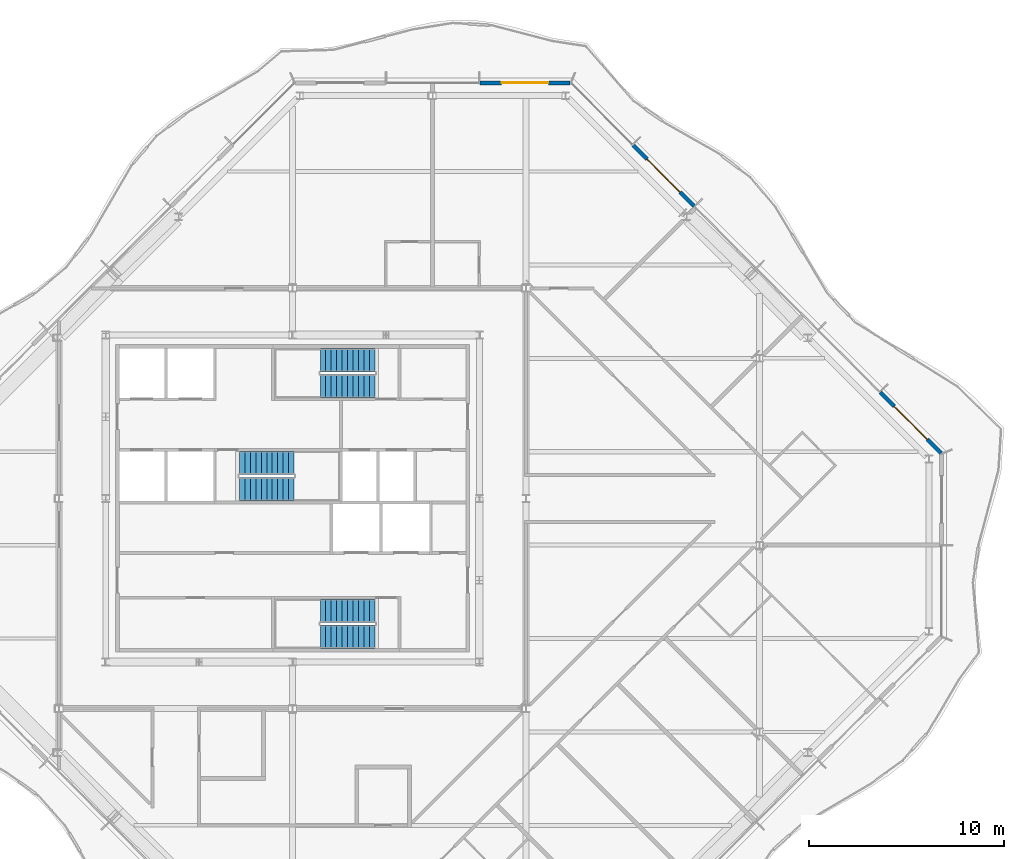
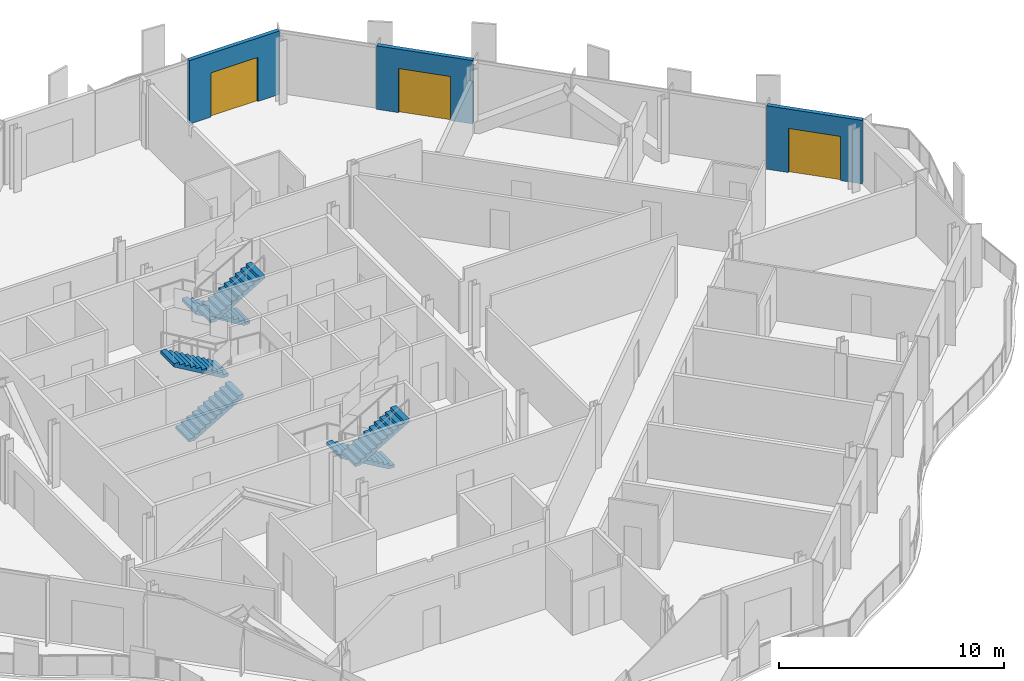
# One storey, part 12 of 17: 6 stair flights, 3 doors, 3 walls, 3 openings, 3 elements without a shape of their own.
"""IFC4 building model written with IfcOpenShell, lengths in metres."""

from ifc_helpers import new_model, si_unit, direction, frame, frame_2d, origin, place, context, subcontext, project, spatial, polyline, rectangle, outline, extrude, material, layer, layer_set, type_object, element, fill, aggregate, save


model = new_model("IFC4")

# Units and contexts
model_context = context("Model", 3, precision=1e-05, world=origin(), true_north=direction((0.0, 1.0)))
body_context = subcontext(model_context, "Body", "Model", "MODEL_VIEW")
ifc_project = project(units=[si_unit("LENGTHUNIT", "METRE"), si_unit("AREAUNIT", "SQUARE_METRE"), si_unit("VOLUMEUNIT", "CUBIC_METRE"), si_unit("PLANEANGLEUNIT", "RADIAN"), si_unit("MASSUNIT", "GRAM", prefix="KILO")], contexts=[model_context])

# Site, building, storey
site_placement = place(None, origin())
site = spatial("IfcSite", under=ifc_project, at=site_placement, CompositionType="ELEMENT")
building_placement = place(site_placement, origin())
building = spatial("IfcBuilding", under=site, at=building_placement, Name="Cairn Pilgrim Tower", CompositionType="ELEMENT")
storey_placement = place(building_placement, frame((0.0, 0.0, 281.39990234375)))
storey = spatial("IfcBuildingStorey", under=building, at=storey_placement, Name="L72", CompositionType="ELEMENT", Elevation=281.39990234375)

# Wall, opening, door
ifc_material_1 = material(Name="Bronze anodised aluminium insulated sandwich panel with mineral wool fill", Category="aluminium")
ifc_layer = layer(ifc_material_1, 0.199951171875)
ifc_layer_set = layer_set([ifc_layer], Name="BRONZE INFILL FRAME WALL 200")
wall_type = type_object("IfcWallType", Name="BRONZE INFILL FRAME WALL 200", PredefinedType="NOTDEFINED", material=ifc_layer_set)
wall_1_placement = place(storey_placement, frame((40.521728515625, 4.724609375, 0.0), z_axis=(0.0, 0.0, 1.0), x_axis=(-0.707106781187, 0.707106781187, 0.0)))
wall_1 = element("IfcWall", 1, at=wall_1_placement, inside=storey, type_object=wall_type, Name="Bronze infill frame wall IW-NE1", PredefinedType="NOTDEFINED", context=body_context, shape_type="SweptSolid", body=[
    extrude(rectangle(XDim=4.421142578125, YDim=0.199951171875, at=frame_2d((2.21044921875, 0.0))), origin(), (0.0, 0.0, 1.0), 3.4501953125),
])
opening_1_placement = place(wall_1_placement, frame((1.00537109375, 0.0, 0.0)))
opening_1 = element("IfcOpeningElement", 2, at=opening_1_placement, cuts=wall_1, Name="Opening 7207B", PredefinedType="OPENING", context=body_context, shape_type="SweptSolid", body=[
    extrude(rectangle(XDim=2.39990234375, YDim=2.39990234375, at=frame_2d((1.199951171875, 1.199951171875))), frame((0.0, 0.10986328125, 0.0), z_axis=(0.0, -1.0, 0.0), x_axis=(1.0, 0.0, 0.0)), (0.0, 0.0, 1.0), 0.219970703125),
])
ifc_material_2 = material(Name="Bronze anodised aluminium frame with tinted low-E glass", Category="aluminium")
door_type = type_object("IfcDoorType", Name="BALCONY SLIDING DOOR 2400x2400", OperationType="DOUBLE_DOOR_SLIDING", PredefinedType="DOOR", material=ifc_material_2)
door_1_placement = place(opening_1_placement, origin())
door_1 = element("IfcDoor", 3, at=door_1_placement, inside=storey, type_object=door_type, Name="Balcony sliding door 7207B", OperationType="SINGLE_SWING_LEFT", OverallHeight=2.39990234375, OverallWidth=2.39990234375, PredefinedType="DOOR", context=body_context, shape_type="SweptSolid", body=[
    extrude(rectangle(XDim=2.39990234375, YDim=2.39990234375, at=frame_2d((1.199951171875, 1.199951171875))), frame((0.0, 0.02490234375, 0.0), z_axis=(0.0, -1.0, 0.0), x_axis=(1.0, 0.0, 0.0)), (0.0, 0.0, 1.0), 0.050048828125),
])
fill(opening_1, door_1)

wall_2_placement = place(storey_placement, frame((27.826416015625, 17.419921875, 0.0), z_axis=(0.0, 0.0, 1.0), x_axis=(-0.707079231393, 0.707134329907, 0.0)))
wall_2 = element("IfcWall", 4, at=wall_2_placement, inside=storey, type_object=wall_type, Name="Bronze infill frame wall IW-NE5", PredefinedType="NOTDEFINED", context=body_context, shape_type="SweptSolid", body=[
    extrude(rectangle(XDim=4.430908203125, YDim=0.199951171875, at=frame_2d((2.21533203125, 0.0))), origin(), (0.0, 0.0, 1.0), 3.4501953125),
])
opening_2_placement = place(wall_2_placement, frame((1.01513671875, 0.0, 0.0)))
opening_2 = element("IfcOpeningElement", 5, at=opening_2_placement, cuts=wall_2, Name="Opening 7209B2", PredefinedType="OPENING", context=body_context, shape_type="SweptSolid", body=[
    extrude(rectangle(XDim=2.39990234375, YDim=2.39990234375, at=frame_2d((1.199951171875, 1.199951171875))), frame((0.0, 0.10986328125, 0.0), z_axis=(0.0, -1.0, 0.0), x_axis=(1.0, 0.0, 0.0)), (0.0, 0.0, 1.0), 0.219970703125),
])
door_2_placement = place(opening_2_placement, origin())
door_2 = element("IfcDoor", 6, at=door_2_placement, inside=storey, type_object=door_type, Name="Balcony sliding door 7209B2", OperationType="SINGLE_SWING_LEFT", OverallHeight=2.39990234375, OverallWidth=2.39990234375, PredefinedType="DOOR", context=body_context, shape_type="SweptSolid", body=[
    extrude(rectangle(XDim=2.39990234375, YDim=2.39990234375, at=frame_2d((1.199951171875, 1.199951171875))), frame((0.0, 0.02490234375, 0.0), z_axis=(0.0, -1.0, 0.0), x_axis=(1.0, 0.0, 0.0)), (0.0, 0.0, 1.0), 0.050048828125),
])
fill(opening_2, door_2)

wall_3_placement = place(storey_placement, frame((21.45654296875, 23.75, 0.0), z_axis=(0.0, 0.0, 1.0), x_axis=(-1.0, 0.0, 0.0)))
wall_3 = element("IfcWall", 7, at=wall_3_placement, inside=storey, type_object=wall_type, Name="Bronze infill frame wall IW-N1", PredefinedType="NOTDEFINED", context=body_context, shape_type="SweptSolid", body=[
    extrude(rectangle(XDim=4.62646484375, YDim=0.199951171875, at=frame_2d((2.313232421875, 0.0))), origin(), (0.0, 0.0, 1.0), 3.4501953125),
])
opening_3_placement = place(wall_3_placement, frame((1.1083984375, 0.0, 0.0)))
opening_3 = element("IfcOpeningElement", 8, at=opening_3_placement, cuts=wall_3, Name="Opening 7209B", PredefinedType="OPENING", context=body_context, shape_type="SweptSolid", body=[
    extrude(rectangle(XDim=2.39990234375, YDim=2.39990234375, at=frame_2d((1.199951171875, 1.199951171875))), frame((0.0, 0.10986328125, 0.0), z_axis=(0.0, -1.0, 0.0), x_axis=(1.0, 0.0, 0.0)), (0.0, 0.0, 1.0), 0.219970703125),
])
door_3_placement = place(opening_3_placement, origin())
door_3 = element("IfcDoor", 9, at=door_3_placement, inside=storey, type_object=door_type, Name="Balcony sliding door 7209B", OperationType="SINGLE_SWING_LEFT", OverallHeight=2.39990234375, OverallWidth=2.39990234375, PredefinedType="DOOR", context=body_context, shape_type="SweptSolid", body=[
    extrude(rectangle(XDim=2.39990234375, YDim=2.39990234375, at=frame_2d((1.199951171875, 1.199951171875))), frame((0.0, 0.02490234375, 0.0), z_axis=(0.0, -1.0, 0.0), x_axis=(1.0, 0.0, 0.0)), (0.0, 0.0, 1.0), 0.050048828125),
])
fill(opening_3, door_3)

# Stair, stair flights
ifc_material_3 = material(Name="Concrete C32/40", Category="concrete")
stair_type = type_object("IfcStairType", Name="EXIT STAIR 1200", PredefinedType="HALF_TURN_STAIR", material=ifc_material_3)
stair_1_placement = place(storey_placement, origin())
stair_1 = element("IfcStair", 10, at=stair_1_placement, inside=storey, type_object=stair_type, Name="L72 Exit Stair A", PredefinedType="HALF_TURN_STAIR")
stair_flight_type = type_object("IfcStairFlightType", Name="STAIR FLIGHT 1200", PredefinedType="STRAIGHT", material=ifc_material_3)
stair_flight_1_placement = place(storey_placement, frame((11.425048828125, -3.375, 0.0), z_axis=(0.0, 0.0, 1.0), x_axis=(-1.0, 0.0, 0.0)))
stair_flight_1 = element("IfcStairFlight", 11, at=stair_flight_1_placement, type_object=stair_flight_type, Name="ST-A flight 1", NumberOfRisers=11, NumberOfTreads=10, PredefinedType="STRAIGHT", RiserHeight=0.163636364, TreadLength=0.28, context=body_context, shape_type="SweptSolid", body=[
    extrude(outline(polyline([(0.0, 0.0), (0.0, 0.16357421875), (0.280029296875, 0.16357421875), (0.280029296875, 0.327392578125), (0.56005859375, 0.327392578125), (0.56005859375, 0.490966796875), (0.840087890625, 0.490966796875), (0.840087890625, 0.654541015625), (1.1201171875, 0.654541015625), (1.1201171875, 0.818115234375), (1.39990234375, 0.818115234375), (1.39990234375, 0.98193359375), (1.679931640625, 0.98193359375), (1.679931640625, 1.1455078125), (1.9599609375, 1.1455078125), (1.9599609375, 1.30908203125), (2.239990234375, 1.30908203125), (2.239990234375, 1.47265625), (2.52001953125, 1.47265625), (2.52001953125, 1.636474609375), (2.800048828125, 1.636474609375), (2.800048828125, 1.800048828125), (2.800048828125, 1.462646484375), (0.297119140625, 0.0), (0.0, 0.0)])), frame((0.0, 0.60009765625, 0.0), z_axis=(0.0, -1.0, 0.0), x_axis=(1.0, 0.0, 0.0)), (0.0, 0.0, 1.0), 1.199951171875),
])
stair_flight_2_placement = place(storey_placement, frame((8.625, -4.699951171875, 1.800048828125), z_axis=(0.0, 0.0, 1.0), x_axis=(1.0, 0.0, 0.0)))
stair_flight_2 = element("IfcStairFlight", 12, at=stair_flight_2_placement, type_object=stair_flight_type, Name="ST-A flight 2", NumberOfRisers=11, NumberOfTreads=10, PredefinedType="STRAIGHT", RiserHeight=0.163636364, TreadLength=0.28, context=body_context, shape_type="SweptSolid", body=[
    extrude(outline(polyline([(0.0, 0.0), (0.0, 0.16357421875), (0.280029296875, 0.16357421875), (0.280029296875, 0.327392578125), (0.56005859375, 0.327392578125), (0.56005859375, 0.490966796875), (0.840087890625, 0.490966796875), (0.840087890625, 0.654541015625), (1.1201171875, 0.654541015625), (1.1201171875, 0.818115234375), (1.39990234375, 0.818115234375), (1.39990234375, 0.98193359375), (1.679931640625, 0.98193359375), (1.679931640625, 1.1455078125), (1.9599609375, 1.1455078125), (1.9599609375, 1.30908203125), (2.239990234375, 1.30908203125), (2.239990234375, 1.47265625), (2.52001953125, 1.47265625), (2.52001953125, 1.636474609375), (2.800048828125, 1.636474609375), (2.800048828125, 1.800048828125), (2.800048828125, 1.462646484375), (0.297119140625, 0.0), (0.0, 0.0)])), frame((0.0, 0.60009765625, 0.0), z_axis=(0.0, -1.0, 0.0), x_axis=(1.0, 0.0, 0.0)), (0.0, 0.0, 1.0), 1.199951171875),
])
aggregate(stair_1, [stair_flight_1, stair_flight_2])

stair_2_placement = place(storey_placement, origin())
stair_2 = element("IfcStair", 13, at=stair_2_placement, inside=storey, type_object=stair_type, Name="L72 Exit Stair B", PredefinedType="HALF_TURN_STAIR")
stair_flight_3_placement = place(storey_placement, frame((4.47509765625, 2.875, 0.0), z_axis=(0.0, 0.0, 1.0), x_axis=(1.0, 0.0, 0.0)))
stair_flight_3 = element("IfcStairFlight", 14, at=stair_flight_3_placement, type_object=stair_flight_type, Name="ST-B flight 1", NumberOfRisers=11, NumberOfTreads=10, PredefinedType="STRAIGHT", RiserHeight=0.163636364, TreadLength=0.28, context=body_context, shape_type="SweptSolid", body=[
    extrude(outline(polyline([(0.0, 0.0), (0.0, 0.16357421875), (0.280029296875, 0.16357421875), (0.280029296875, 0.327392578125), (0.56005859375, 0.327392578125), (0.56005859375, 0.490966796875), (0.840087890625, 0.490966796875), (0.840087890625, 0.654541015625), (1.1201171875, 0.654541015625), (1.1201171875, 0.818115234375), (1.39990234375, 0.818115234375), (1.39990234375, 0.98193359375), (1.679931640625, 0.98193359375), (1.679931640625, 1.1455078125), (1.9599609375, 1.1455078125), (1.9599609375, 1.30908203125), (2.239990234375, 1.30908203125), (2.239990234375, 1.47265625), (2.52001953125, 1.47265625), (2.52001953125, 1.636474609375), (2.800048828125, 1.636474609375), (2.800048828125, 1.800048828125), (2.800048828125, 1.462646484375), (0.297119140625, 0.0), (0.0, 0.0)])), frame((0.0, 0.60009765625, 0.0), z_axis=(0.0, -1.0, 0.0), x_axis=(1.0, 0.0, 0.0)), (0.0, 0.0, 1.0), 1.199951171875),
])
stair_flight_4_placement = place(storey_placement, frame((7.27490234375, 4.22509765625, 1.800048828125), z_axis=(0.0, 0.0, 1.0), x_axis=(-1.0, 0.0, 0.0)))
stair_flight_4 = element("IfcStairFlight", 15, at=stair_flight_4_placement, type_object=stair_flight_type, Name="ST-B flight 2", NumberOfRisers=11, NumberOfTreads=10, PredefinedType="STRAIGHT", RiserHeight=0.163636364, TreadLength=0.28, context=body_context, shape_type="SweptSolid", body=[
    extrude(outline(polyline([(0.0, 0.0), (0.0, 0.16357421875), (0.280029296875, 0.16357421875), (0.280029296875, 0.327392578125), (0.56005859375, 0.327392578125), (0.56005859375, 0.490966796875), (0.840087890625, 0.490966796875), (0.840087890625, 0.654541015625), (1.1201171875, 0.654541015625), (1.1201171875, 0.818115234375), (1.39990234375, 0.818115234375), (1.39990234375, 0.98193359375), (1.679931640625, 0.98193359375), (1.679931640625, 1.1455078125), (1.9599609375, 1.1455078125), (1.9599609375, 1.30908203125), (2.239990234375, 1.30908203125), (2.239990234375, 1.47265625), (2.52001953125, 1.47265625), (2.52001953125, 1.636474609375), (2.800048828125, 1.636474609375), (2.800048828125, 1.800048828125), (2.800048828125, 1.462646484375), (0.297119140625, 0.0), (0.0, 0.0)])), frame((0.0, 0.60009765625, 0.0), z_axis=(0.0, -1.0, 0.0), x_axis=(1.0, 0.0, 0.0)), (0.0, 0.0, 1.0), 1.199951171875),
])
aggregate(stair_2, [stair_flight_3, stair_flight_4])

stair_3_placement = place(storey_placement, origin())
stair_3 = element("IfcStair", 16, at=stair_3_placement, inside=storey, type_object=stair_type, Name="L72 Exit Stair C", PredefinedType="HALF_TURN_STAIR")
stair_flight_5_placement = place(storey_placement, frame((11.425048828125, 9.5, 0.0), z_axis=(0.0, 0.0, 1.0), x_axis=(-1.0, 0.0, 0.0)))
stair_flight_5 = element("IfcStairFlight", 17, at=stair_flight_5_placement, type_object=stair_flight_type, Name="ST-C flight 1", NumberOfRisers=11, NumberOfTreads=10, PredefinedType="STRAIGHT", RiserHeight=0.163636364, TreadLength=0.28, context=body_context, shape_type="SweptSolid", body=[
    extrude(outline(polyline([(0.0, 0.0), (0.0, 0.16357421875), (0.280029296875, 0.16357421875), (0.280029296875, 0.327392578125), (0.56005859375, 0.327392578125), (0.56005859375, 0.490966796875), (0.840087890625, 0.490966796875), (0.840087890625, 0.654541015625), (1.1201171875, 0.654541015625), (1.1201171875, 0.818115234375), (1.39990234375, 0.818115234375), (1.39990234375, 0.98193359375), (1.679931640625, 0.98193359375), (1.679931640625, 1.1455078125), (1.9599609375, 1.1455078125), (1.9599609375, 1.30908203125), (2.239990234375, 1.30908203125), (2.239990234375, 1.47265625), (2.52001953125, 1.47265625), (2.52001953125, 1.636474609375), (2.800048828125, 1.636474609375), (2.800048828125, 1.800048828125), (2.800048828125, 1.462646484375), (0.297119140625, 0.0), (0.0, 0.0)])), frame((0.0, 0.60009765625, 0.0), z_axis=(0.0, -1.0, 0.0), x_axis=(1.0, 0.0, 0.0)), (0.0, 0.0, 1.0), 1.199951171875),
])
stair_flight_6_placement = place(storey_placement, frame((8.625, 8.175048828125, 1.800048828125), z_axis=(0.0, 0.0, 1.0), x_axis=(1.0, 0.0, 0.0)))
stair_flight_6 = element("IfcStairFlight", 18, at=stair_flight_6_placement, type_object=stair_flight_type, Name="ST-C flight 2", NumberOfRisers=11, NumberOfTreads=10, PredefinedType="STRAIGHT", RiserHeight=0.163636364, TreadLength=0.28, context=body_context, shape_type="SweptSolid", body=[
    extrude(outline(polyline([(0.0, 0.0), (0.0, 0.16357421875), (0.280029296875, 0.16357421875), (0.280029296875, 0.327392578125), (0.56005859375, 0.327392578125), (0.56005859375, 0.490966796875), (0.840087890625, 0.490966796875), (0.840087890625, 0.654541015625), (1.1201171875, 0.654541015625), (1.1201171875, 0.818115234375), (1.39990234375, 0.818115234375), (1.39990234375, 0.98193359375), (1.679931640625, 0.98193359375), (1.679931640625, 1.1455078125), (1.9599609375, 1.1455078125), (1.9599609375, 1.30908203125), (2.239990234375, 1.30908203125), (2.239990234375, 1.47265625), (2.52001953125, 1.47265625), (2.52001953125, 1.636474609375), (2.800048828125, 1.636474609375), (2.800048828125, 1.800048828125), (2.800048828125, 1.462646484375), (0.297119140625, 0.0), (0.0, 0.0)])), frame((0.0, 0.60009765625, 0.0), z_axis=(0.0, -1.0, 0.0), x_axis=(1.0, 0.0, 0.0)), (0.0, 0.0, 1.0), 1.199951171875),
])
aggregate(stair_3, [stair_flight_5, stair_flight_6])

save(model, "model.ifc")
